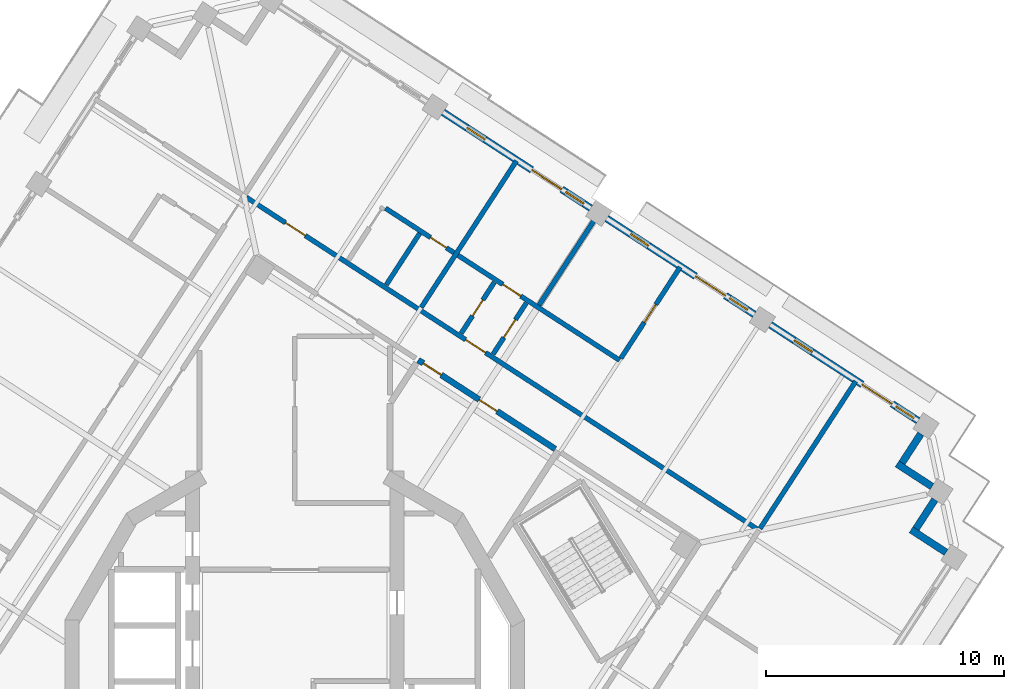
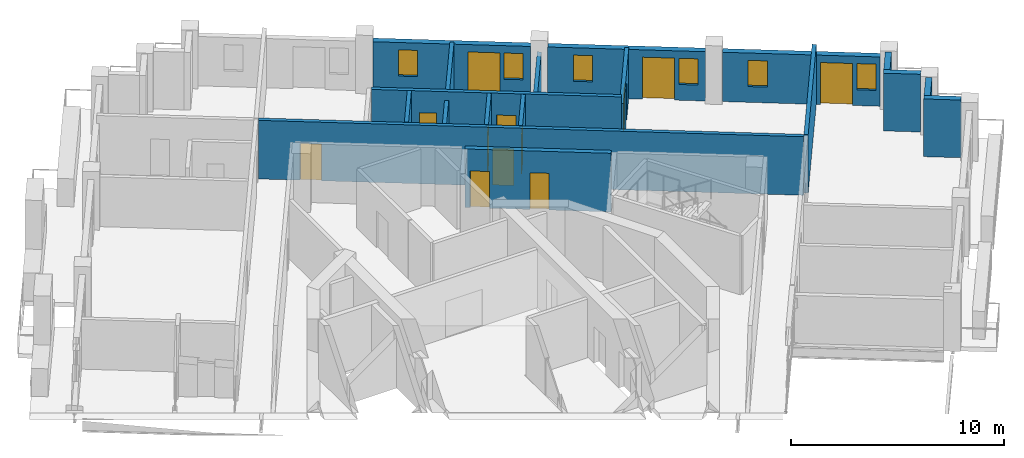
# One storey, part 10 of 17: 17 walls, 12 doors, 6 windows, 18 openings.
"""IFC4 building model written with IfcOpenShell, lengths in metres."""

from ifc_helpers import new_model, si_unit, direction, frame, frame_2d, origin, place, context, subcontext, project, spatial, rectangle, extrude, material, layer, layer_set, type_object, element, fill, save


model = new_model("IFC4")

# Units and contexts
model_context = context("Model", 3, precision=1e-05, world=origin(), true_north=direction((0.0, 1.0)))
body_context = subcontext(model_context, "Body", "Model", "MODEL_VIEW")
ifc_project = project(units=[si_unit("LENGTHUNIT", "METRE"), si_unit("AREAUNIT", "SQUARE_METRE"), si_unit("VOLUMEUNIT", "CUBIC_METRE"), si_unit("PLANEANGLEUNIT", "RADIAN"), si_unit("MASSUNIT", "GRAM", prefix="KILO")], contexts=[model_context])

# Site, building, storey
site_placement = place(None, origin())
site = spatial("IfcSite", under=ifc_project, at=site_placement, CompositionType="ELEMENT")
building_placement = place(site_placement, origin())
building = spatial("IfcBuilding", under=site, at=building_placement, Name="Cantera Rosa Tower", CompositionType="ELEMENT")
storey_placement = place(building_placement, frame((0.0, 0.0, 254.10009765625)))
storey = spatial("IfcBuildingStorey", under=building, at=storey_placement, Name="L56", CompositionType="ELEMENT", Elevation=254.10009765625)

# Wall, openings, doors
ifc_material_1 = material(Name="Gypsum board partition")
ifc_layer_1 = layer(ifc_material_1, 0.199951171875)
ifc_layer_set_1 = layer_set([ifc_layer_1], Name="CORRIDOR WALL 200 H3350")
wall_type_1 = type_object("IfcWallType", Name="CORRIDOR WALL 200 H3350", PredefinedType="PARTITIONING", material=ifc_layer_set_1)
wall_1_placement = place(storey_placement, frame((19.422119140625, 6.405517578125, 0.0), z_axis=(0.0, 0.0, 1.0), x_axis=(-0.838672283131, 0.544636393851, 0.0)))
wall_1 = element("IfcWall", 1, at=wall_1_placement, inside=storey, type_object=wall_type_1, Name="CORRIDOR WALL L56-099", PredefinedType="PARTITIONING", context=body_context, shape_type="SweptSolid", body=[
    extrude(rectangle(XDim=25.580078125, YDim=0.199951171875, at=frame_2d((12.7900390625, 0.0))), origin(), (0.0, 0.0, 1.0), 3.349853515625),
])
opening_1_placement = place(wall_1_placement, frame((13.60009765625, 0.0, 0.0)))
opening_1 = element("IfcOpeningElement", 2, at=opening_1_placement, cuts=wall_1, Name="Opening L56-019", PredefinedType="OPENING", context=body_context, shape_type="SweptSolid", body=[
    extrude(rectangle(XDim=1.0, YDim=2.10009765625, at=frame_2d((0.5, 1.050048828125))), frame((0.0, 0.10986328125, 0.0), z_axis=(0.0, -1.0, 0.0), x_axis=(1.0, 0.0, 0.0)), (0.0, 0.0, 1.0), 0.219970703125),
])
opening_2_placement = place(wall_1_placement, frame((22.625, 0.0, 0.0)))
opening_2 = element("IfcOpeningElement", 3, at=opening_2_placement, cuts=wall_1, Name="Opening L56-024", PredefinedType="OPENING", context=body_context, shape_type="SweptSolid", body=[
    extrude(rectangle(XDim=1.0, YDim=2.10009765625, at=frame_2d((0.5, 1.050048828125))), frame((0.0, 0.10986328125, 0.0), z_axis=(0.0, -1.0, 0.0), x_axis=(1.0, 0.0, 0.0)), (0.0, 0.0, 1.0), 0.219970703125),
])
ifc_material_2 = material(Name="Timber door leaf", Category="wood")
door_type_1 = type_object("IfcDoorType", Name="ENTRANCE DOOR 1000x2100", OperationType="NOTDEFINED", PredefinedType="DOOR", material=ifc_material_2)
door_1_placement = place(opening_1_placement, origin())
door_1 = element("IfcDoor", 4, at=door_1_placement, inside=storey, type_object=door_type_1, Name="DOOR L56-019", OperationType="NOTDEFINED", OverallHeight=2.10009765625, OverallWidth=1.0, PredefinedType="DOOR", context=body_context, shape_type="SweptSolid", body=[
    extrude(rectangle(XDim=1.0, YDim=2.10009765625, at=frame_2d((0.5, 1.050048828125))), frame((0.0, 0.02490234375, 0.0), z_axis=(0.0, -1.0, 0.0), x_axis=(1.0, 0.0, 0.0)), (0.0, 0.0, 1.0), 0.050048828125),
])
fill(opening_1, door_1)
door_2_placement = place(opening_2_placement, origin())
door_2 = element("IfcDoor", 5, at=door_2_placement, inside=storey, type_object=door_type_1, Name="DOOR L56-024", OperationType="NOTDEFINED", OverallHeight=2.10009765625, OverallWidth=1.0, PredefinedType="DOOR", context=body_context, shape_type="SweptSolid", body=[
    extrude(rectangle(XDim=1.0, YDim=2.10009765625, at=frame_2d((0.5, 1.050048828125))), frame((0.0, 0.02490234375, 0.0), z_axis=(0.0, -1.0, 0.0), x_axis=(1.0, 0.0, 0.0)), (0.0, 0.0, 1.0), 0.050048828125),
])
fill(opening_2, door_2)

# Walls
ifc_material_3 = material(Name="Hollow clay masonry with cantera stone cladding", Category="masonry")
ifc_layer_2 = layer(ifc_material_3, 0.300048828125)
ifc_layer_set_2 = layer_set([ifc_layer_2], Name="EW-LOGGIA 300")
wall_type_2 = type_object("IfcWallType", Name="EW-LOGGIA 300", PredefinedType="SOLIDWALL", material=ifc_layer_set_2)
wall_2_placement = place(storey_placement, frame((27.36669921875, 5.41943359375, 0.0), z_axis=(0.0, 0.0, 1.0), x_axis=(-0.838685761837, 0.54461563776, 0.0)))
element("IfcWall", 6, at=wall_2_placement, inside=storey, type_object=wall_type_2, Name="EN-L56-W25a", PredefinedType="SOLIDWALL", context=body_context, shape_type="SweptSolid", body=[
    extrude(rectangle(XDim=1.75, YDim=0.300048828125, at=frame_2d((0.875, 0.0))), origin(), (0.0, 0.0, 1.0), 3.2998046875),
])
wall_3_placement = place(storey_placement, frame((26.1064453125, 6.41650390625, 0.0), z_axis=(0.0, 0.0, 1.0), x_axis=(0.54467465438, 0.838647435384, 0.0)))
element("IfcWall", 7, at=wall_3_placement, inside=storey, type_object=wall_type_2, Name="EN-L56-W25b", PredefinedType="SOLIDWALL", context=body_context, shape_type="SweptSolid", body=[
    extrude(rectangle(XDim=1.449951171875, YDim=0.300048828125, at=frame_2d((0.72509765625, 0.0))), origin(), (0.0, 0.0, 1.0), 3.2998046875),
])
wall_4_placement = place(storey_placement, frame((26.778564453125, 8.18603515625, 0.0), z_axis=(0.0, 0.0, 1.0), x_axis=(-0.838685761837, 0.54461563776, 0.0)))
element("IfcWall", 8, at=wall_4_placement, inside=storey, type_object=wall_type_2, Name="EN-L56-W26a", PredefinedType="SOLIDWALL", context=body_context, shape_type="SweptSolid", body=[
    extrude(rectangle(XDim=1.75, YDim=0.300048828125, at=frame_2d((0.875, 0.0))), origin(), (0.0, 0.0, 1.0), 3.2998046875),
])
wall_5_placement = place(storey_placement, frame((25.518310546875, 9.18310546875, 0.0), z_axis=(0.0, 0.0, 1.0), x_axis=(0.54467465438, 0.838647435384, 0.0)))
element("IfcWall", 9, at=wall_5_placement, inside=storey, type_object=wall_type_2, Name="EN-L56-W26b", PredefinedType="SOLIDWALL", context=body_context, shape_type="SweptSolid", body=[
    extrude(rectangle(XDim=1.449951171875, YDim=0.300048828125, at=frame_2d((0.72509765625, 0.0))), origin(), (0.0, 0.0, 1.0), 3.2998046875),
])

# Wall, openings, windows, door
ifc_material_4 = material(Name="Hollow clay masonry with cantera stone cladding", Category="masonry")
ifc_layer_3 = layer(ifc_material_4, 0.300048828125)
ifc_layer_set_3 = layer_set([ifc_layer_3], Name="EW-LOGGIA 300 H2820")
wall_type_3 = type_object("IfcWallType", Name="EW-LOGGIA 300 H2820", PredefinedType="SOLIDWALL", material=ifc_layer_set_3)
wall_6_placement = place(storey_placement, frame((26.1904296875, 10.95263671875, 0.0), z_axis=(0.0, 0.0, 1.0), x_axis=(-0.838669679097, 0.544640403719, 0.0)))
wall_6 = element("IfcWall", 10, at=wall_6_placement, inside=storey, type_object=wall_type_3, Name="EN-L56-W01", PredefinedType="SOLIDWALL", context=body_context, shape_type="SweptSolid", body=[
    extrude(rectangle(XDim=7.39990234375, YDim=0.300048828125, at=frame_2d((3.699951171875, 0.0))), origin(), (0.0, 0.0, 1.0), 2.81982421875),
])
opening_3_placement = place(wall_6_placement, frame((0.199951171875, 0.0, 0.89990234375)))
opening_3 = element("IfcOpeningElement", 11, at=opening_3_placement, cuts=wall_6, Name="Opening L56-W01", PredefinedType="OPENING", context=body_context, shape_type="SweptSolid", body=[
    extrude(rectangle(XDim=0.89990234375, YDim=1.5, at=frame_2d((0.449951171875, 0.75))), frame((0.0, 0.159912109375, 0.0), z_axis=(0.0, -1.0, 0.0), x_axis=(1.0, 0.0, 0.0)), (0.0, 0.0, 1.0), 0.320068359375),
])
opening_4_placement = place(wall_6_placement, frame((1.300048828125, 0.0, 0.0)))
opening_4 = element("IfcOpeningElement", 12, at=opening_4_placement, cuts=wall_6, Name="Opening L56-TD02", PredefinedType="OPENING", context=body_context, shape_type="SweptSolid", body=[
    extrude(rectangle(XDim=1.5, YDim=2.39990234375, at=frame_2d((0.75, 1.199951171875))), frame((0.0, 0.159912109375, 0.0), z_axis=(0.0, -1.0, 0.0), x_axis=(1.0, 0.0, 0.0)), (0.0, 0.0, 1.0), 0.320068359375),
])
opening_5_placement = place(wall_6_placement, frame((5.300048828125, 0.0, 0.89990234375)))
opening_5 = element("IfcOpeningElement", 13, at=opening_5_placement, cuts=wall_6, Name="Opening L56-W03", PredefinedType="OPENING", context=body_context, shape_type="SweptSolid", body=[
    extrude(rectangle(XDim=0.89990234375, YDim=1.5, at=frame_2d((0.449951171875, 0.75))), frame((0.0, 0.159912109375, 0.0), z_axis=(0.0, -1.0, 0.0), x_axis=(1.0, 0.0, 0.0)), (0.0, 0.0, 1.0), 0.320068359375),
])
ifc_material_5 = material(Name="Aluminium frame with clear glass", Category="aluminium")
window_type = type_object("IfcWindowType", Name="Residential window 900x1500", PartitioningType="SINGLE_PANEL", PredefinedType="WINDOW", material=ifc_material_5)
window_1_placement = place(opening_3_placement, origin())
window_1 = element("IfcWindow", 14, at=window_1_placement, inside=storey, type_object=window_type, Name="WINDOW L56-W01", OverallHeight=1.5, OverallWidth=0.89990234375, PartitioningType="SINGLE_PANEL", PredefinedType="WINDOW", context=body_context, shape_type="SweptSolid", body=[
    extrude(rectangle(XDim=0.89990234375, YDim=1.5, at=frame_2d((0.449951171875, 0.75))), frame((0.0, 0.030029296875, 0.0), z_axis=(0.0, -1.0, 0.0), x_axis=(1.0, 0.0, 0.0)), (0.0, 0.0, 1.0), 0.06005859375),
])
fill(opening_3, window_1)
window_2_placement = place(opening_5_placement, origin())
window_2 = element("IfcWindow", 15, at=window_2_placement, inside=storey, type_object=window_type, Name="WINDOW L56-W03", OverallHeight=1.5, OverallWidth=0.89990234375, PartitioningType="SINGLE_PANEL", PredefinedType="WINDOW", context=body_context, shape_type="SweptSolid", body=[
    extrude(rectangle(XDim=0.89990234375, YDim=1.5, at=frame_2d((0.449951171875, 0.75))), frame((0.0, 0.030029296875, 0.0), z_axis=(0.0, -1.0, 0.0), x_axis=(1.0, 0.0, 0.0)), (0.0, 0.0, 1.0), 0.06005859375),
])
fill(opening_5, window_2)
ifc_material_6 = material(Name="Aluminium frame with clear glass", Category="aluminium")
door_type_2 = type_object("IfcDoorType", Name="TD-R 1500x2400", OperationType="NOTDEFINED", PredefinedType="DOOR", material=ifc_material_6)
door_3_placement = place(opening_4_placement, origin())
door_3 = element("IfcDoor", 16, at=door_3_placement, inside=storey, type_object=door_type_2, Name="LOGGIA DOOR L56-TD02", OperationType="SLIDING_TO_LEFT", OverallHeight=2.39990234375, OverallWidth=1.5, PredefinedType="DOOR", context=body_context, shape_type="SweptSolid", body=[
    extrude(rectangle(XDim=1.5, YDim=2.39990234375, at=frame_2d((0.75, 1.199951171875))), frame((0.0, 0.02490234375, 0.0), z_axis=(0.0, -1.0, 0.0), x_axis=(1.0, 0.0, 0.0)), (0.0, 0.0, 1.0), 0.050048828125),
])
fill(opening_4, door_3)

wall_7_placement = place(storey_placement, frame((19.3134765625, 15.418701171875, 0.0), z_axis=(0.0, 0.0, 1.0), x_axis=(-0.838679465365, 0.544625333946, 0.0)))
wall_7 = element("IfcWall", 17, at=wall_7_placement, inside=storey, type_object=wall_type_3, Name="EN-L56-W02", PredefinedType="SOLIDWALL", context=body_context, shape_type="SweptSolid", body=[
    extrude(rectangle(XDim=7.400146484375, YDim=0.300048828125, at=frame_2d((3.7001953125, 0.0))), origin(), (0.0, 0.0, 1.0), 2.81982421875),
])
opening_6_placement = place(wall_7_placement, frame((0.35009765625, 0.0, 0.89990234375)))
opening_6 = element("IfcOpeningElement", 18, at=opening_6_placement, cuts=wall_7, Name="Opening L56-W04", PredefinedType="OPENING", context=body_context, shape_type="SweptSolid", body=[
    extrude(rectangle(XDim=0.89990234375, YDim=1.5, at=frame_2d((0.449951171875, 0.75))), frame((0.0, 0.159912109375, 0.0), z_axis=(0.0, -1.0, 0.0), x_axis=(1.0, 0.0, 0.0)), (0.0, 0.0, 1.0), 0.320068359375),
])
opening_7_placement = place(wall_7_placement, frame((1.449951171875, 0.0, 0.0)))
opening_7 = element("IfcOpeningElement", 19, at=opening_7_placement, cuts=wall_7, Name="Opening L56-TD05", PredefinedType="OPENING", context=body_context, shape_type="SweptSolid", body=[
    extrude(rectangle(XDim=1.5, YDim=2.39990234375, at=frame_2d((0.75, 1.199951171875))), frame((0.0, 0.159912109375, 0.0), z_axis=(0.0, -1.0, 0.0), x_axis=(1.0, 0.0, 0.0)), (0.0, 0.0, 1.0), 0.320068359375),
])
opening_8_placement = place(wall_7_placement, frame((5.300048828125, 0.0, 0.89990234375)))
opening_8 = element("IfcOpeningElement", 20, at=opening_8_placement, cuts=wall_7, Name="Opening L56-W06", PredefinedType="OPENING", context=body_context, shape_type="SweptSolid", body=[
    extrude(rectangle(XDim=0.89990234375, YDim=1.5, at=frame_2d((0.449951171875, 0.75))), frame((0.0, 0.159912109375, 0.0), z_axis=(0.0, -1.0, 0.0), x_axis=(1.0, 0.0, 0.0)), (0.0, 0.0, 1.0), 0.320068359375),
])
window_3_placement = place(opening_6_placement, origin())
window_3 = element("IfcWindow", 21, at=window_3_placement, inside=storey, type_object=window_type, Name="WINDOW L56-W04", OverallHeight=1.5, OverallWidth=0.89990234375, PartitioningType="SINGLE_PANEL", PredefinedType="WINDOW", context=body_context, shape_type="SweptSolid", body=[
    extrude(rectangle(XDim=0.89990234375, YDim=1.5, at=frame_2d((0.449951171875, 0.75))), frame((0.0, 0.030029296875, 0.0), z_axis=(0.0, -1.0, 0.0), x_axis=(1.0, 0.0, 0.0)), (0.0, 0.0, 1.0), 0.06005859375),
])
fill(opening_6, window_3)
window_4_placement = place(opening_8_placement, origin())
window_4 = element("IfcWindow", 22, at=window_4_placement, inside=storey, type_object=window_type, Name="WINDOW L56-W06", OverallHeight=1.5, OverallWidth=0.89990234375, PartitioningType="SINGLE_PANEL", PredefinedType="WINDOW", context=body_context, shape_type="SweptSolid", body=[
    extrude(rectangle(XDim=0.89990234375, YDim=1.5, at=frame_2d((0.449951171875, 0.75))), frame((0.0, 0.030029296875, 0.0), z_axis=(0.0, -1.0, 0.0), x_axis=(1.0, 0.0, 0.0)), (0.0, 0.0, 1.0), 0.06005859375),
])
fill(opening_8, window_4)
door_4_placement = place(opening_7_placement, origin())
door_4 = element("IfcDoor", 23, at=door_4_placement, inside=storey, type_object=door_type_2, Name="LOGGIA DOOR L56-TD05", OperationType="SLIDING_TO_LEFT", OverallHeight=2.39990234375, OverallWidth=1.5, PredefinedType="DOOR", context=body_context, shape_type="SweptSolid", body=[
    extrude(rectangle(XDim=1.5, YDim=2.39990234375, at=frame_2d((0.75, 1.199951171875))), frame((0.0, 0.02490234375, 0.0), z_axis=(0.0, -1.0, 0.0), x_axis=(1.0, 0.0, 0.0)), (0.0, 0.0, 1.0), 0.050048828125),
])
fill(opening_7, door_4)

wall_8_placement = place(storey_placement, frame((12.436279296875, 19.884765625, 0.0), z_axis=(0.0, 0.0, 1.0), x_axis=(-0.838669679097, 0.544640403719, 0.0)))
wall_8 = element("IfcWall", 24, at=wall_8_placement, inside=storey, type_object=wall_type_3, Name="EN-L56-W03", PredefinedType="SOLIDWALL", context=body_context, shape_type="SweptSolid", body=[
    extrude(rectangle(XDim=7.39990234375, YDim=0.300048828125, at=frame_2d((3.699951171875, 0.0))), origin(), (0.0, 0.0, 1.0), 2.81982421875),
])
opening_9_placement = place(wall_8_placement, frame((0.35009765625, 0.0, 0.89990234375)))
opening_9 = element("IfcOpeningElement", 25, at=opening_9_placement, cuts=wall_8, Name="Opening L56-W07", PredefinedType="OPENING", context=body_context, shape_type="SweptSolid", body=[
    extrude(rectangle(XDim=0.89990234375, YDim=1.5, at=frame_2d((0.449951171875, 0.75))), frame((0.0, 0.159912109375, 0.0), z_axis=(0.0, -1.0, 0.0), x_axis=(1.0, 0.0, 0.0)), (0.0, 0.0, 1.0), 0.320068359375),
])
opening_10_placement = place(wall_8_placement, frame((1.449951171875, 0.0, 0.0)))
opening_10 = element("IfcOpeningElement", 26, at=opening_10_placement, cuts=wall_8, Name="Opening L56-TD08", PredefinedType="OPENING", context=body_context, shape_type="SweptSolid", body=[
    extrude(rectangle(XDim=1.5, YDim=2.39990234375, at=frame_2d((0.75, 1.199951171875))), frame((0.0, 0.159912109375, 0.0), z_axis=(0.0, -1.0, 0.0), x_axis=(1.0, 0.0, 0.0)), (0.0, 0.0, 1.0), 0.320068359375),
])
opening_11_placement = place(wall_8_placement, frame((5.300048828125, 0.0, 0.89990234375)))
opening_11 = element("IfcOpeningElement", 27, at=opening_11_placement, cuts=wall_8, Name="Opening L56-W09", PredefinedType="OPENING", context=body_context, shape_type="SweptSolid", body=[
    extrude(rectangle(XDim=0.89990234375, YDim=1.5, at=frame_2d((0.449951171875, 0.75))), frame((0.0, 0.159912109375, 0.0), z_axis=(0.0, -1.0, 0.0), x_axis=(1.0, 0.0, 0.0)), (0.0, 0.0, 1.0), 0.320068359375),
])
window_5_placement = place(opening_9_placement, origin())
window_5 = element("IfcWindow", 28, at=window_5_placement, inside=storey, type_object=window_type, Name="WINDOW L56-W07", OverallHeight=1.5, OverallWidth=0.89990234375, PartitioningType="SINGLE_PANEL", PredefinedType="WINDOW", context=body_context, shape_type="SweptSolid", body=[
    extrude(rectangle(XDim=0.89990234375, YDim=1.5, at=frame_2d((0.449951171875, 0.75))), frame((0.0, 0.030029296875, 0.0), z_axis=(0.0, -1.0, 0.0), x_axis=(1.0, 0.0, 0.0)), (0.0, 0.0, 1.0), 0.06005859375),
])
fill(opening_9, window_5)
window_6_placement = place(opening_11_placement, origin())
window_6 = element("IfcWindow", 29, at=window_6_placement, inside=storey, type_object=window_type, Name="WINDOW L56-W09", OverallHeight=1.5, OverallWidth=0.89990234375, PartitioningType="SINGLE_PANEL", PredefinedType="WINDOW", context=body_context, shape_type="SweptSolid", body=[
    extrude(rectangle(XDim=0.89990234375, YDim=1.5, at=frame_2d((0.449951171875, 0.75))), frame((0.0, 0.030029296875, 0.0), z_axis=(0.0, -1.0, 0.0), x_axis=(1.0, 0.0, 0.0)), (0.0, 0.0, 1.0), 0.06005859375),
])
fill(opening_11, window_6)
door_5_placement = place(opening_10_placement, origin())
door_5 = element("IfcDoor", 30, at=door_5_placement, inside=storey, type_object=door_type_2, Name="LOGGIA DOOR L56-TD08", OperationType="SLIDING_TO_LEFT", OverallHeight=2.39990234375, OverallWidth=1.5, PredefinedType="DOOR", context=body_context, shape_type="SweptSolid", body=[
    extrude(rectangle(XDim=1.5, YDim=2.39990234375, at=frame_2d((0.75, 1.199951171875))), frame((0.0, 0.02490234375, 0.0), z_axis=(0.0, -1.0, 0.0), x_axis=(1.0, 0.0, 0.0)), (0.0, 0.0, 1.0), 0.050048828125),
])
fill(opening_10, door_5)

# Wall
ifc_material_7 = material(Name="Gypsum board partition")
ifc_layer_4 = layer(ifc_material_7, 0.199951171875)
ifc_layer_set_4 = layer_set([ifc_layer_4], Name="PARTITION 200 H2450")
wall_type_4 = type_object("IfcWallType", Name="PARTITION 200 H2450", PredefinedType="PARTITIONING", material=ifc_layer_set_4)
wall_9_placement = place(storey_placement, frame((12.75537109375, 19.6416015625, 0.0), z_axis=(0.0, 0.0, 1.0), x_axis=(-0.544637163551, -0.838671783285, 0.0)))
element("IfcWall", 31, at=wall_9_placement, inside=storey, type_object=wall_type_4, Name="PARTITION L56-090", PredefinedType="PARTITIONING", context=body_context, shape_type="SweptSolid", body=[
    extrude(rectangle(XDim=4.570068359375, YDim=0.199951171875, at=frame_2d((2.28515625, 0.0))), origin(), (0.0, 0.0, 1.0), 2.449951171875),
])

# Wall, opening, door
ifc_material_8 = material(Name="Gypsum board partition")
ifc_layer_5 = layer(ifc_material_8, 0.199951171875)
ifc_layer_set_5 = layer_set([ifc_layer_5], Name="PARTITION 200 H2850")
wall_type_5 = type_object("IfcWallType", Name="PARTITION 200 H2850", PredefinedType="PARTITIONING", material=ifc_layer_set_5)
wall_10_placement = place(storey_placement, frame((16.194091796875, 17.40869140625, 0.0), z_axis=(0.0, 0.0, 1.0), x_axis=(-0.544637163551, -0.838671783285, 0.0)))
wall_10 = element("IfcWall", 32, at=wall_10_placement, inside=storey, type_object=wall_type_5, Name="PARTITION L56-095", PredefinedType="PARTITIONING", context=body_context, shape_type="SweptSolid", body=[
    extrude(rectangle(XDim=4.570068359375, YDim=0.199951171875, at=frame_2d((2.28515625, 0.0))), origin(), (0.0, 0.0, 1.0), 2.849853515625),
])
opening_12_placement = place(wall_10_placement, frame((1.8701171875, 0.0, 0.0)))
opening_12 = element("IfcOpeningElement", 33, at=opening_12_placement, cuts=wall_10, Name="Opening L56-023", PredefinedType="OPENING", context=body_context, shape_type="SweptSolid", body=[
    extrude(rectangle(XDim=0.89990234375, YDim=2.10009765625, at=frame_2d((0.449951171875, 1.050048828125))), frame((0.0, 0.10986328125, 0.0), z_axis=(0.0, -1.0, 0.0), x_axis=(1.0, 0.0, 0.0)), (0.0, 0.0, 1.0), 0.219970703125),
])
ifc_material_9 = material(Name="Timber door leaf", Category="wood")
door_type_3 = type_object("IfcDoorType", Name="ROOM DOOR 900x2100", OperationType="NOTDEFINED", PredefinedType="DOOR", material=ifc_material_9)
door_6_placement = place(opening_12_placement, origin())
door_6 = element("IfcDoor", 34, at=door_6_placement, inside=storey, type_object=door_type_3, Name="DOOR L56-023", OperationType="NOTDEFINED", OverallHeight=2.10009765625, OverallWidth=0.89990234375, PredefinedType="DOOR", context=body_context, shape_type="SweptSolid", body=[
    extrude(rectangle(XDim=0.89990234375, YDim=2.10009765625, at=frame_2d((0.449951171875, 1.050048828125))), frame((0.0, 0.02490234375, 0.0), z_axis=(0.0, -1.0, 0.0), x_axis=(1.0, 0.0, 0.0)), (0.0, 0.0, 1.0), 0.050048828125),
])
fill(opening_12, door_6)

# Wall, openings, doors
ifc_material_10 = material(Name="Gypsum board partition")
ifc_layer_6 = layer(ifc_material_10, 0.199951171875)
ifc_layer_set_6 = layer_set([ifc_layer_6], Name="PARTITION 200 H3350")
wall_type_6 = type_object("IfcWallType", Name="PARTITION 200 H3350", PredefinedType="PARTITIONING", material=ifc_layer_set_6)
wall_11_placement = place(storey_placement, frame((3.81298828125, 19.880615234375, 0.0), z_axis=(0.0, 0.0, 1.0), x_axis=(0.838672750413, -0.544635674295, 0.0)))
wall_11 = element("IfcWall", 35, at=wall_11_placement, inside=storey, type_object=wall_type_6, Name="PARTITION L56-064", PredefinedType="PARTITIONING", context=body_context, shape_type="SweptSolid", body=[
    extrude(rectangle(XDim=11.729736328125, YDim=0.199951171875, at=frame_2d((5.86474609375, 0.0))), origin(), (0.0, 0.0, 1.0), 3.349853515625),
])
opening_13_placement = place(wall_11_placement, frame((5.8798828125, 0.0, 0.0)))
opening_13 = element("IfcOpeningElement", 36, at=opening_13_placement, cuts=wall_11, Name="Opening L56-022", PredefinedType="OPENING", context=body_context, shape_type="SweptSolid", body=[
    extrude(rectangle(XDim=0.89990234375, YDim=2.10009765625, at=frame_2d((0.449951171875, 1.050048828125))), frame((0.0, 0.10986328125, 0.0), z_axis=(0.0, -1.0, 0.0), x_axis=(1.0, 0.0, 0.0)), (0.0, 0.0, 1.0), 0.219970703125),
])
opening_14_placement = place(wall_11_placement, frame((2.2548828125, 0.0, 0.0)))
opening_14 = element("IfcOpeningElement", 37, at=opening_14_placement, cuts=wall_11, Name="Opening L56-025", PredefinedType="OPENING", context=body_context, shape_type="SweptSolid", body=[
    extrude(rectangle(XDim=0.800048828125, YDim=2.10009765625, at=frame_2d((0.39990234375, 1.050048828125))), frame((0.0, 0.10986328125, 0.0), z_axis=(0.0, -1.0, 0.0), x_axis=(1.0, 0.0, 0.0)), (0.0, 0.0, 1.0), 0.219970703125),
])
ifc_material_11 = material(Name="Timber door leaf", Category="wood")
door_type_4 = type_object("IfcDoorType", Name="BATHROOM DOOR 800x2100", OperationType="NOTDEFINED", PredefinedType="DOOR", material=ifc_material_11)
door_7_placement = place(opening_14_placement, origin())
door_7 = element("IfcDoor", 38, at=door_7_placement, inside=storey, type_object=door_type_4, Name="DOOR L56-025", OperationType="NOTDEFINED", OverallHeight=2.10009765625, OverallWidth=0.800048828125, PredefinedType="DOOR", context=body_context, shape_type="SweptSolid", body=[
    extrude(rectangle(XDim=0.800048828125, YDim=2.10009765625, at=frame_2d((0.39990234375, 1.050048828125))), frame((0.0, 0.02490234375, 0.0), z_axis=(0.0, -1.0, 0.0), x_axis=(1.0, 0.0, 0.0)), (0.0, 0.0, 1.0), 0.050048828125),
])
fill(opening_14, door_7)
door_8_placement = place(opening_13_placement, origin())
door_8 = element("IfcDoor", 39, at=door_8_placement, inside=storey, type_object=door_type_3, Name="DOOR L56-022", OperationType="NOTDEFINED", OverallHeight=2.10009765625, OverallWidth=0.89990234375, PredefinedType="DOOR", context=body_context, shape_type="SweptSolid", body=[
    extrude(rectangle(XDim=0.89990234375, YDim=2.10009765625, at=frame_2d((0.449951171875, 1.050048828125))), frame((0.0, 0.02490234375, 0.0), z_axis=(0.0, -1.0, 0.0), x_axis=(1.0, 0.0, 0.0)), (0.0, 0.0, 1.0), 0.050048828125),
])
fill(opening_13, door_8)

# Wall
wall_12_placement = place(storey_placement, frame((3.84619140625, 16.66357421875, 0.0), z_axis=(0.0, 0.0, 1.0), x_axis=(0.544592476005, 0.838700801883, 0.0)))
element("IfcWall", 40, at=wall_12_placement, inside=storey, type_object=wall_type_6, Name="PARTITION L56-065", PredefinedType="PARTITIONING", context=body_context, shape_type="SweptSolid", body=[
    extrude(rectangle(XDim=2.580078125, YDim=0.199951171875, at=frame_2d((1.2900390625, 0.0))), origin(), (0.0, 0.0, 1.0), 3.349853515625),
])

# Wall, opening, door
wall_13_placement = place(storey_placement, frame((8.385498046875, 16.768310546875, 0.0), z_axis=(0.0, 0.0, 1.0), x_axis=(-0.544602829464, -0.838694078994, 0.0)))
wall_13 = element("IfcWall", 41, at=wall_13_placement, inside=storey, type_object=wall_type_6, Name="PARTITION L56-084", PredefinedType="PARTITIONING", context=body_context, shape_type="SweptSolid", body=[
    extrude(rectangle(XDim=2.560302734375, YDim=0.199951171875, at=frame_2d((1.2802734375, 0.0))), origin(), (0.0, 0.0, 1.0), 3.349853515625),
])
opening_15_placement = place(wall_13_placement, frame((0.8798828125, 0.0, 0.0)))
opening_15 = element("IfcOpeningElement", 42, at=opening_15_placement, cuts=wall_13, Name="Opening L56-020", PredefinedType="OPENING", context=body_context, shape_type="SweptSolid", body=[
    extrude(rectangle(XDim=0.800048828125, YDim=2.10009765625, at=frame_2d((0.39990234375, 1.050048828125))), frame((0.0, 0.10986328125, 0.0), z_axis=(0.0, -1.0, 0.0), x_axis=(1.0, 0.0, 0.0)), (0.0, 0.0, 1.0), 0.219970703125),
])
door_9_placement = place(opening_15_placement, origin())
door_9 = element("IfcDoor", 43, at=door_9_placement, inside=storey, type_object=door_type_4, Name="DOOR L56-020", OperationType="NOTDEFINED", OverallHeight=2.10009765625, OverallWidth=0.800048828125, PredefinedType="DOOR", context=body_context, shape_type="SweptSolid", body=[
    extrude(rectangle(XDim=0.800048828125, YDim=2.10009765625, at=frame_2d((0.39990234375, 1.050048828125))), frame((0.0, 0.02490234375, 0.0), z_axis=(0.0, -1.0, 0.0), x_axis=(1.0, 0.0, 0.0)), (0.0, 0.0, 1.0), 0.050048828125),
])
fill(opening_15, door_9)

wall_14_placement = place(storey_placement, frame((9.727294921875, 15.896728515625, 0.0), z_axis=(0.0, 0.0, 1.0), x_axis=(-0.544646388536, -0.838665792468, 0.0)))
wall_14 = element("IfcWall", 44, at=wall_14_placement, inside=storey, type_object=wall_type_6, Name="PARTITION L56-087", PredefinedType="PARTITIONING", context=body_context, shape_type="SweptSolid", body=[
    extrude(rectangle(XDim=2.56005859375, YDim=0.199951171875, at=frame_2d((1.280029296875, 0.0))), origin(), (0.0, 0.0, 1.0), 3.349853515625),
])
opening_16_placement = place(wall_14_placement, frame((0.830078125, 0.0, 0.0)))
opening_16 = element("IfcOpeningElement", 45, at=opening_16_placement, cuts=wall_14, Name="Opening L56-021", PredefinedType="OPENING", context=body_context, shape_type="SweptSolid", body=[
    extrude(rectangle(XDim=0.89990234375, YDim=2.10009765625, at=frame_2d((0.449951171875, 1.050048828125))), frame((0.0, 0.10986328125, 0.0), z_axis=(0.0, -1.0, 0.0), x_axis=(1.0, 0.0, 0.0)), (0.0, 0.0, 1.0), 0.219970703125),
])
door_10_placement = place(opening_16_placement, origin())
door_10 = element("IfcDoor", 46, at=door_10_placement, inside=storey, type_object=door_type_3, Name="DOOR L56-021", OperationType="NOTDEFINED", OverallHeight=2.10009765625, OverallWidth=0.89990234375, PredefinedType="DOOR", context=body_context, shape_type="SweptSolid", body=[
    extrude(rectangle(XDim=0.89990234375, YDim=2.10009765625, at=frame_2d((0.449951171875, 1.050048828125))), frame((0.0, 0.02490234375, 0.0), z_axis=(0.0, -1.0, 0.0), x_axis=(1.0, 0.0, 0.0)), (0.0, 0.0, 1.0), 0.050048828125),
])
fill(opening_16, door_10)

# Walls
ifc_material_12 = material(Name="Gypsum board partition")
ifc_layer_7 = layer(ifc_material_12, 0.199951171875)
ifc_layer_set_7 = layer_set([ifc_layer_7], Name="PARTY WALL 200 H2850")
wall_type_7 = type_object("IfcWallType", Name="PARTY WALL 200 H2850", PredefinedType="PARTITIONING", material=ifc_layer_set_7)
wall_15_placement = place(storey_placement, frame((5.313720703125, 15.71044921875, 0.0), z_axis=(0.0, 0.0, 1.0), x_axis=(0.544641550729, 0.838668934217, 0.0)))
element("IfcWall", 47, at=wall_15_placement, inside=storey, type_object=wall_type_7, Name="PARTY WALL L56-076", PredefinedType="PARTITIONING", context=body_context, shape_type="SweptSolid", body=[
    extrude(rectangle(XDim=7.35009765625, YDim=0.199951171875, at=frame_2d((3.675048828125, 0.0))), origin(), (0.0, 0.0, 1.0), 2.849853515625),
])
ifc_material_13 = material(Name="Gypsum board partition")
ifc_layer_8 = layer(ifc_material_13, 0.199951171875)
ifc_layer_set_8 = layer_set([ifc_layer_8], Name="PARTY WALL 200 H3350")
wall_type_8 = type_object("IfcWallType", Name="PARTY WALL 200 H3350", PredefinedType="PARTITIONING", material=ifc_layer_set_8)
wall_16_placement = place(storey_placement, frame((23.57421875, 12.61572265625, 0.0), z_axis=(0.0, 0.0, 1.0), x_axis=(-0.544642261206, -0.838668472824, 0.0)))
element("IfcWall", 48, at=wall_16_placement, inside=storey, type_object=wall_type_8, Name="PARTY WALL L56-100", PredefinedType="PARTITIONING", context=body_context, shape_type="SweptSolid", body=[
    extrude(rectangle(XDim=7.389892578125, YDim=0.199951171875, at=frame_2d((3.69482421875, 0.0))), origin(), (0.0, 0.0, 1.0), 3.349853515625),
])

# Wall, openings, doors
ifc_material_14 = material(Name="Masonry blockwork", Category="masonry")
ifc_layer_9 = layer(ifc_material_14, 0.25)
ifc_layer_set_9 = layer_set([ifc_layer_9], Name="SHAFT WALL 250 H3350")
wall_type_9 = type_object("IfcWallType", Name="SHAFT WALL 250 H3350", PredefinedType="SOLIDWALL", material=ifc_layer_set_9)
wall_17_placement = place(storey_placement, frame((10.94384765625, 9.764892578125, 0.0), z_axis=(0.0, 0.0, 1.0), x_axis=(-0.838659024801, 0.544656809487, 0.0)))
wall_17 = element("IfcWall", 49, at=wall_17_placement, inside=storey, type_object=wall_type_9, Name="SHAFT WALL L56-088", PredefinedType="SOLIDWALL", context=body_context, shape_type="SweptSolid", body=[
    extrude(rectangle(XDim=6.85986328125, YDim=0.25, at=frame_2d((3.429931640625, 0.0))), origin(), (0.0, 0.0, 1.0), 3.349853515625),
])
opening_17_placement = place(wall_17_placement, frame((5.7099609375, 0.0, 0.0)))
opening_17 = element("IfcOpeningElement", 50, at=opening_17_placement, cuts=wall_17, Name="Opening L56-007", PredefinedType="OPENING", context=body_context, shape_type="SweptSolid", body=[
    extrude(rectangle(XDim=0.89990234375, YDim=2.10009765625, at=frame_2d((0.449951171875, 1.050048828125))), frame((0.0, 0.135009765625, 0.0), z_axis=(0.0, -1.0, 0.0), x_axis=(1.0, 0.0, 0.0)), (0.0, 0.0, 1.0), 0.27001953125),
])
opening_18_placement = place(wall_17_placement, frame((2.909912109375, 0.0, 0.0)))
opening_18 = element("IfcOpeningElement", 51, at=opening_18_placement, cuts=wall_17, Name="Opening L56-047", PredefinedType="OPENING", context=body_context, shape_type="SweptSolid", body=[
    extrude(rectangle(XDim=0.89990234375, YDim=2.10009765625, at=frame_2d((0.449951171875, 1.050048828125))), frame((0.0, 0.135009765625, 0.0), z_axis=(0.0, -1.0, 0.0), x_axis=(1.0, 0.0, 0.0)), (0.0, 0.0, 1.0), 0.27001953125),
])
ifc_material_15 = material(Name="Timber door leaf", Category="wood")
door_type_5 = type_object("IfcDoorType", Name="SERVICE DOOR 900x2100", OperationType="NOTDEFINED", PredefinedType="DOOR", material=ifc_material_15)
door_11_placement = place(opening_17_placement, origin())
door_11 = element("IfcDoor", 52, at=door_11_placement, inside=storey, type_object=door_type_5, Name="RISER DOOR L56-007", OperationType="NOTDEFINED", OverallHeight=2.10009765625, OverallWidth=0.89990234375, PredefinedType="DOOR", context=body_context, shape_type="SweptSolid", body=[
    extrude(rectangle(XDim=0.89990234375, YDim=2.10009765625, at=frame_2d((0.449951171875, 1.050048828125))), frame((0.0, 0.02490234375, 0.0), z_axis=(0.0, -1.0, 0.0), x_axis=(1.0, 0.0, 0.0)), (0.0, 0.0, 1.0), 0.050048828125),
])
fill(opening_17, door_11)
door_12_placement = place(opening_18_placement, origin())
door_12 = element("IfcDoor", 53, at=door_12_placement, inside=storey, type_object=door_type_5, Name="RISER DOOR L56-047", OperationType="NOTDEFINED", OverallHeight=2.10009765625, OverallWidth=0.89990234375, PredefinedType="DOOR", context=body_context, shape_type="SweptSolid", body=[
    extrude(rectangle(XDim=0.89990234375, YDim=2.10009765625, at=frame_2d((0.449951171875, 1.050048828125))), frame((0.0, 0.02490234375, 0.0), z_axis=(0.0, -1.0, 0.0), x_axis=(1.0, 0.0, 0.0)), (0.0, 0.0, 1.0), 0.050048828125),
])
fill(opening_18, door_12)

save(model, "model.ifc")
